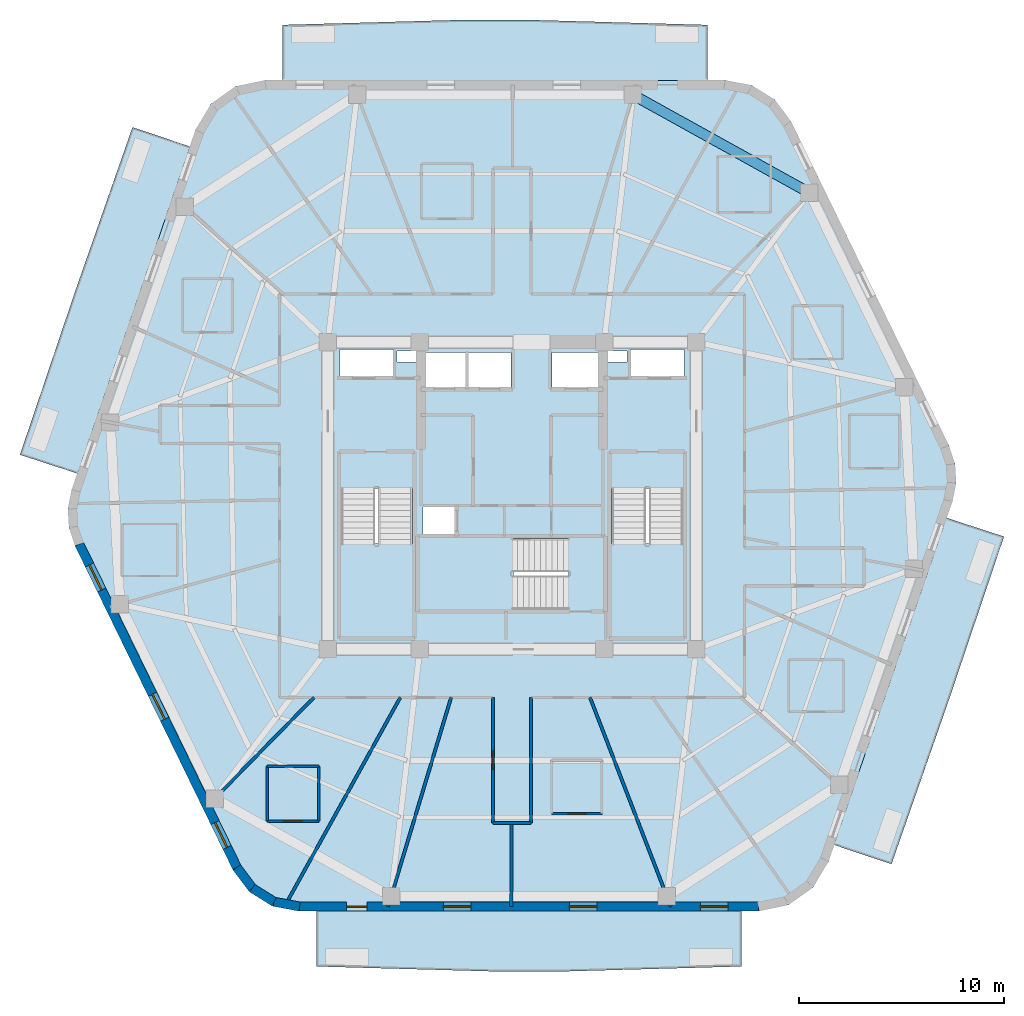
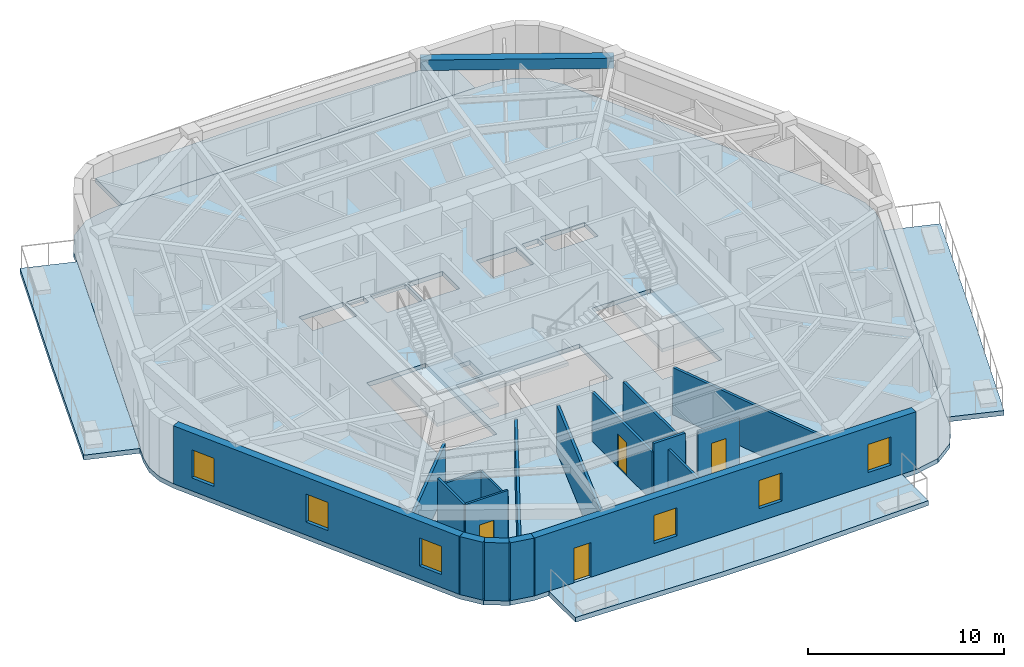
# One storey, part 2 of 9: 18 walls, 8 slabs, 6 windows, 4 doors, 1 beam, 10 openings, 3 elements without a shape of their own.
"""IFC4 building model written with IfcOpenShell, lengths in metres."""

from ifc_helpers import new_model, si_unit, direction, frame, frame_2d, origin, origin_2d, place, context, subcontext, project, spatial, polyline, rectangle, outline, extrude, material, layer, layer_set, material_profile, profile_set, type_object, element, fill, aggregate, save


model = new_model("IFC4")

# Units and contexts
model_context = context("Model", 3, precision=1e-05, world=origin(), true_north=direction((0.0, 1.0)))
body_context = subcontext(model_context, "Body", "Model", "MODEL_VIEW")
ifc_project = project(units=[si_unit("LENGTHUNIT", "METRE"), si_unit("AREAUNIT", "SQUARE_METRE"), si_unit("VOLUMEUNIT", "CUBIC_METRE"), si_unit("PLANEANGLEUNIT", "RADIAN"), si_unit("MASSUNIT", "GRAM", prefix="KILO")], contexts=[model_context])

# Site, building, storey
site_placement = place(None, origin())
site = spatial("IfcSite", under=ifc_project, at=site_placement, CompositionType="ELEMENT")
building_placement = place(site_placement, origin())
building = spatial("IfcBuilding", under=site, at=building_placement, Name="Kilnhurst Terrace Hotel", CompositionType="ELEMENT")
storey_placement = place(building_placement, frame((0.0, 0.0, 265.199951171875)))
storey = spatial("IfcBuildingStorey", under=building, at=storey_placement, Name="L66", CompositionType="ELEMENT", Elevation=265.199951171875)

# Beam
ifc_material_1 = material(Name="Concrete C50/60", Category="concrete")
ifc_material_profile = material_profile(ifc_material_1, rectangle(XDim=0.5, YDim=0.64990234375, at=origin_2d()), Name="RC500X650")
ifc_profile_set = profile_set([ifc_material_profile], Name="Concrete C50/60")
beam_type = type_object("IfcBeamType", Name="BM-SPN-500X650", PredefinedType="SPANDREL", material=ifc_profile_set)
beam_placement = place(storey_placement, frame((14.531005859375, 14.798095703125, 3.275146484375), z_axis=(-0.874527255888, 0.484976369227, 0.0), x_axis=(-0.484976369227, -0.874527255888, 0.0)))
element("IfcBeam", 1, at=beam_placement, inside=storey, type_object=beam_type, Name="L66 Perimeter Spandrel Beam 6", PredefinedType="SPANDREL", context=body_context, shape_type="SweptSolid", body=[
    extrude(rectangle(XDim=0.5, YDim=0.64990234375, at=origin_2d()), origin(), (0.0, 0.0, 1.0), 9.8603515625),
])

# Slabs
ifc_layer_1 = layer(ifc_material_1, 0.300048828125, Name="Concrete C50/60")
ifc_layer_set_1 = layer_set([ifc_layer_1], Name="Concrete C50/60")
slab_type_1 = type_object("IfcSlabType", Name="SLB-BAL-300", PredefinedType="FLOOR", material=ifc_layer_set_1)
slab_1_placement = place(storey_placement, frame((0.0, 0.0, -0.300048828125)))
element("IfcSlab", 2, at=slab_1_placement, inside=storey, type_object=slab_type_1, Name="L66 Cantilevered Planted Terrace Slab BAL-L1A", PredefinedType="FLOOR", context=body_context, shape_type="SweptSolid", body=[
    extrude(outline(polyline([(2.62060546875, -23.239990234375), (-0.958984375, -23.239990234375), (-9.5498046875, -23.0), (-9.5498046875, -20.280029296875), (11.211669921875, -20.280029296875), (11.211669921875, -23.0), (2.62060546875, -23.239990234375)])), origin(), (0.0, 0.0, 1.0), 0.300048828125),
])
slab_2_placement = place(storey_placement, frame((0.0, 0.0, -0.300048828125)))
element("IfcSlab", 3, at=slab_2_placement, inside=storey, type_object=slab_type_1, Name="L66 Cantilevered Planted Terrace Slab BAL-L1B", PredefinedType="FLOOR", context=body_context, shape_type="SweptSolid", body=[
    extrude(outline(polyline([(18.541259765625, -18.0), (15.725341796875, -17.0556640625), (21.223388671875, -1.0791015625), (24.037353515625, -2.0), (21.317626953125, -10.054931640625), (18.541259765625, -18.0)])), origin(), (0.0, 0.0, 1.0), 0.300048828125),
])
slab_3_placement = place(storey_placement, frame((0.0, 0.0, -0.300048828125)))
element("IfcSlab", 4, at=slab_3_placement, inside=storey, type_object=slab_type_1, Name="L66 Cantilevered Planted Terrace Slab BAL-L2A", PredefinedType="FLOOR", context=body_context, shape_type="SweptSolid", body=[
    extrude(outline(polyline([(0.958984375, 23.239990234375), (9.5498046875, 23.0), (9.5498046875, 20.280029296875), (-11.211669921875, 20.280029296875), (-11.211669921875, 23.0), (-2.62060546875, 23.239990234375), (0.958984375, 23.239990234375)])), origin(), (0.0, 0.0, 1.0), 0.300048828125),
])
slab_4_placement = place(storey_placement, frame((0.0, 0.0, -0.300048828125)))
element("IfcSlab", 5, at=slab_4_placement, inside=storey, type_object=slab_type_1, Name="L66 Cantilevered Planted Terrace Slab BAL-L2B", PredefinedType="FLOOR", context=body_context, shape_type="SweptSolid", body=[
    extrude(outline(polyline([(-18.541259765625, 18.0), (-15.725341796875, 17.0556640625), (-21.223388671875, 1.0791015625), (-24.037353515625, 2.0), (-21.317626953125, 10.054931640625), (-18.541259765625, 18.0)])), origin(), (0.0, 0.0, 1.0), 0.300048828125),
])
ifc_layer_2 = layer(ifc_material_1, 0.280029296875, Name="Concrete C50/60")
ifc_layer_set_2 = layer_set([ifc_layer_2], Name="Concrete C50/60")
slab_type_2 = type_object("IfcSlabType", Name="SLB-FLR-280", PredefinedType="FLOOR", material=ifc_layer_set_2)
slab_5_placement = place(storey_placement, frame((0.0, 0.0, -0.280029296875)))
element("IfcSlab", 6, at=slab_5_placement, inside=storey, type_object=slab_type_2, Name="L66 Structural Floor Slab", PredefinedType="FLOOR", context=body_context, shape_type="SweptSolid", body=[
    extrude(outline(polyline([(-13.635986328125, -18.27734375), (-12.840087890625, -19.3466796875), (-11.709716796875, -20.05322265625), (-10.39990234375, -20.300048828125), (12.061767578125, -20.300048828125), (13.5068359375, -19.9970703125), (14.708984375, -19.139404296875), (15.4658203125, -17.871337890625), (21.51513671875, -0.29248046875), (21.7021484375, 0.627685546875), (21.64501953125, 1.565185546875), (21.34716796875, 2.4560546875), (13.635986328125, 18.27734375), (12.840087890625, 19.3466796875), (11.709716796875, 20.05322265625), (10.39990234375, 20.300048828125), (-12.061767578125, 20.300048828125), (-13.5068359375, 19.9970703125), (-14.708984375, 19.139404296875), (-15.4658203125, 17.871337890625), (-21.51513671875, 0.29248046875), (-21.7021484375, -0.627685546875), (-21.64501953125, -1.565185546875), (-21.34716796875, -2.4560546875), (-13.635986328125, -18.27734375)]), holes=[polyline([(-8.35009765625, 0.35498046875), (-4.8798828125, 0.35498046875), (-4.8798828125, -6.89990234375), (-8.35009765625, -6.89990234375), (-8.35009765625, 0.35498046875)]), polyline([(-2.800048828125, -1.89990234375), (-4.35009765625, -1.89990234375), (-4.35009765625, -0.550048828125), (-2.800048828125, -0.550048828125), (-2.800048828125, -1.89990234375)]), polyline([(-2.25, 5.25), (-4.300048828125, 5.25), (-4.300048828125, 7.0), (-2.25, 7.0), (-2.25, 5.25)]), polyline([(-2.1201171875, 5.25), (-2.1201171875, 7.0), (-0.050048828125, 7.0), (-0.050048828125, 5.25), (-2.1201171875, 5.25)]), polyline([(-8.39990234375, 5.75), (-8.39990234375, 7.14990234375), (-5.800048828125, 7.14990234375), (-5.800048828125, 5.75), (-8.39990234375, 5.75)]), polyline([(-4.659912109375, 6.52001953125), (-5.6201171875, 6.52001953125), (-5.6201171875, 7.080078125), (-4.659912109375, 7.080078125), (-4.659912109375, 6.52001953125)]), polyline([(2.7548828125, -5.550048828125), (-4.5, -5.550048828125), (-4.5, -2.080078125), (2.7548828125, -2.080078125), (2.7548828125, -5.550048828125)]), polyline([(8.35009765625, 0.35498046875), (8.35009765625, -6.89990234375), (4.8798828125, -6.89990234375), (4.8798828125, 0.35498046875), (8.35009765625, 0.35498046875)]), polyline([(4.300048828125, 5.25), (1.949951171875, 5.25), (1.949951171875, 7.0), (4.300048828125, 7.0), (4.300048828125, 5.25)]), polyline([(5.800048828125, 5.75), (5.800048828125, 7.14990234375), (8.39990234375, 7.14990234375), (8.39990234375, 5.75), (5.800048828125, 5.75)]), polyline([(4.659912109375, 6.52001953125), (4.659912109375, 7.080078125), (5.6201171875, 7.080078125), (5.6201171875, 6.52001953125), (4.659912109375, 6.52001953125)])]), origin(), (0.0, 0.0, 1.0), 0.280029296875),
])

# Stair, slab
stair_type = type_object("IfcStairType", Name="STR-CORE-1660", PredefinedType="HALF_TURN_STAIR", material=ifc_material_1)
stair_1_placement = place(storey_placement, origin())
stair_1 = element("IfcStair", 7, at=stair_1_placement, inside=storey, type_object=stair_type, Name="L66 ST-1", PredefinedType="HALF_TURN_STAIR")
ifc_layer_3 = layer(ifc_material_1, 0.199951171875, Name="Concrete C50/60")
ifc_layer_set_3 = layer_set([ifc_layer_3], Name="Concrete C50/60")
slab_type_3 = type_object("IfcSlabType", Name="SLB-ST-LND-200", PredefinedType="LANDING", material=ifc_layer_set_3)
slab_6_placement = place(storey_placement, frame((0.0, 0.0, 1.75)))
slab_6 = element("IfcSlab", 8, at=slab_6_placement, type_object=slab_type_3, Name="ST-1 landing 1", PredefinedType="LANDING", context=body_context, shape_type="SweptSolid", body=[
    extrude(outline(polyline([(-8.429931640625, -2.330078125), (-4.800048828125, -2.330078125), (-4.800048828125, -6.97998046875), (-8.429931640625, -6.97998046875), (-8.429931640625, -2.330078125)])), origin(), (0.0, 0.0, 1.0), 0.199951171875),
])
aggregate(stair_1, [slab_6])

stair_2_placement = place(storey_placement, origin())
stair_2 = element("IfcStair", 9, at=stair_2_placement, inside=storey, type_object=stair_type, Name="L66 ST-2", PredefinedType="HALF_TURN_STAIR")
slab_7_placement = place(storey_placement, frame((0.0, 0.0, 1.75)))
slab_7 = element("IfcSlab", 10, at=slab_7_placement, type_object=slab_type_3, Name="ST-2 landing 1", PredefinedType="LANDING", context=body_context, shape_type="SweptSolid", body=[
    extrude(outline(polyline([(4.800048828125, -2.330078125), (8.429931640625, -2.330078125), (8.429931640625, -6.97998046875), (4.800048828125, -6.97998046875), (4.800048828125, -2.330078125)])), origin(), (0.0, 0.0, 1.0), 0.199951171875),
])
aggregate(stair_2, [slab_7])

stair_3_placement = place(storey_placement, origin())
stair_3 = element("IfcStair", 11, at=stair_3_placement, inside=storey, type_object=stair_type, Name="L66 ST-3", PredefinedType="HALF_TURN_STAIR")
slab_8_placement = place(storey_placement, frame((0.0, 0.0, 1.75)))
slab_8 = element("IfcSlab", 12, at=slab_8_placement, type_object=slab_type_3, Name="ST-3 landing 1", PredefinedType="LANDING", context=body_context, shape_type="SweptSolid", body=[
    extrude(outline(polyline([(0.070068359375, -2.0), (0.070068359375, -5.6298828125), (-4.580078125, -5.6298828125), (-4.580078125, -2.0), (0.070068359375, -2.0)])), origin(), (0.0, 0.0, 1.0), 0.199951171875),
])
aggregate(stair_3, [slab_8])

# Walls
ifc_material_2 = material(Name="Precast concrete C40/50", Category="concrete")
ifc_layer_4 = layer(ifc_material_2, 0.449951171875, Name="Precast concrete C40/50")
ifc_layer_set_4 = layer_set([ifc_layer_4], Name="Precast concrete C40/50")
wall_type_1 = type_object("IfcWallType", Name="WL-BRK-450", PredefinedType="SOLIDWALL", material=ifc_layer_set_4)
wall_1_placement = place(storey_placement, frame((-13.44287109375, -18.159912109375, 0.0), z_axis=(0.0, 0.0, 1.0), x_axis=(0.597042425808, -0.802209661987, 0.0)))
element("IfcWall", 13, at=wall_1_placement, inside=storey, type_object=wall_type_1, Name="L66 Rounded Corner Brick Wall C1.1", PredefinedType="SOLIDWALL", context=body_context, shape_type="SweptSolid", body=[
    extrude(rectangle(XDim=1.269775390625, YDim=0.449951171875, at=frame_2d((0.634765625, 0.0))), origin(), (0.0, 0.0, 1.0), 3.60009765625),
])
wall_2_placement = place(storey_placement, frame((-12.684814453125, -19.178466796875, 0.0), z_axis=(0.0, 0.0, 1.0), x_axis=(0.848031272749, -0.529946186362, 0.0)))
element("IfcWall", 14, at=wall_2_placement, inside=storey, type_object=wall_type_1, Name="L66 Rounded Corner Brick Wall C1.2", PredefinedType="SOLIDWALL", context=body_context, shape_type="SweptSolid", body=[
    extrude(rectangle(XDim=1.248046875, YDim=0.449951171875, at=frame_2d((0.6240234375, 0.0))), origin(), (0.0, 0.0, 1.0), 3.60009765625),
])
wall_3_placement = place(storey_placement, frame((-11.62646484375, -19.83984375, 0.0), z_axis=(0.0, 0.0, 1.0), x_axis=(0.982701956681, -0.185194126083, 0.0)))
element("IfcWall", 15, at=wall_3_placement, inside=storey, type_object=wall_type_1, Name="L66 Rounded Corner Brick Wall C1.3", PredefinedType="SOLIDWALL", context=body_context, shape_type="SweptSolid", body=[
    extrude(rectangle(XDim=1.26953125, YDim=0.449951171875, at=frame_2d((0.634765625, 0.0))), origin(), (0.0, 0.0, 1.0), 3.60009765625),
])

# Wall, openings, door, windows
wall_4_placement = place(storey_placement, frame((-10.37890625, -20.074951171875, 0.0), z_axis=(0.0, 0.0, 1.0), x_axis=(1.0, 0.0, 0.0)))
wall_4 = element("IfcWall", 16, at=wall_4_placement, inside=storey, type_object=wall_type_1, Name="L66 Exterior Brick Facade Wall F1", PredefinedType="SOLIDWALL", context=body_context, shape_type="SweptSolid", body=[
    extrude(rectangle(XDim=22.417236328125, YDim=0.449951171875, at=frame_2d((11.20849609375, 0.0))), origin(), (0.0, 0.0, 1.0), 3.60009765625),
])
opening_1_placement = place(wall_4_placement, frame((2.302001953125, 0.0, 0.0)))
opening_1 = element("IfcOpeningElement", 17, at=opening_1_placement, cuts=wall_4, Name="Opening BD-1000", PredefinedType="OPENING", context=body_context, shape_type="SweptSolid", body=[
    extrude(rectangle(XDim=1.0, YDim=2.14990234375, at=frame_2d((0.5, 1.074951171875))), frame((0.0, 0.23486328125, 0.0), z_axis=(0.0, -1.0, 0.0), x_axis=(1.0, 0.0, 0.0)), (0.0, 0.0, 1.0), 0.469970703125),
])
opening_2_placement = place(wall_4_placement, frame((7.02197265625, 0.0, 0.800048828125)))
opening_2 = element("IfcOpeningElement", 18, at=opening_2_placement, cuts=wall_4, Name="Opening W-06", PredefinedType="OPENING", context=body_context, shape_type="SweptSolid", body=[
    extrude(rectangle(XDim=1.35009765625, YDim=1.75, at=frame_2d((0.675048828125, 0.875))), frame((0.0, 0.23486328125, 0.0), z_axis=(0.0, -1.0, 0.0), x_axis=(1.0, 0.0, 0.0)), (0.0, 0.0, 1.0), 0.469970703125),
])
opening_3_placement = place(wall_4_placement, frame((13.179931640625, 0.0, 0.800048828125)))
opening_3 = element("IfcOpeningElement", 19, at=opening_3_placement, cuts=wall_4, Name="Opening W-06", PredefinedType="OPENING", context=body_context, shape_type="SweptSolid", body=[
    extrude(rectangle(XDim=1.35009765625, YDim=1.75, at=frame_2d((0.675048828125, 0.875))), frame((0.0, 0.23486328125, 0.0), z_axis=(0.0, -1.0, 0.0), x_axis=(1.0, 0.0, 0.0)), (0.0, 0.0, 1.0), 0.469970703125),
])
opening_4_placement = place(wall_4_placement, frame((19.5869140625, 0.0, 0.800048828125)))
opening_4 = element("IfcOpeningElement", 20, at=opening_4_placement, cuts=wall_4, Name="Opening W-06", PredefinedType="OPENING", context=body_context, shape_type="SweptSolid", body=[
    extrude(rectangle(XDim=1.35009765625, YDim=1.75, at=frame_2d((0.675048828125, 0.875))), frame((0.0, 0.23486328125, 0.0), z_axis=(0.0, -1.0, 0.0), x_axis=(1.0, 0.0, 0.0)), (0.0, 0.0, 1.0), 0.469970703125),
])
ifc_material_3 = material(Name="Thermally Broken Bronze Aluminium Alloy 6063-T6 and Laminated Glass", Category="aluminium")
door_type_1 = type_object("IfcDoorType", Name="DR-EXT-BAL-1000", OperationType="NOTDEFINED", PredefinedType="DOOR", material=ifc_material_3)
door_1_placement = place(opening_1_placement, origin())
door_1 = element("IfcDoor", 21, at=door_1_placement, inside=storey, type_object=door_type_1, Name="L66 Planted Balcony Door BAL-L1A", OperationType="SINGLE_SWING_LEFT", OverallHeight=2.14990234375, OverallWidth=1.0, PredefinedType="DOOR", context=body_context, shape_type="SweptSolid", body=[
    extrude(rectangle(XDim=1.0, YDim=2.14990234375, at=frame_2d((0.5, 1.074951171875))), frame((0.0, 0.02490234375, 0.0), z_axis=(0.0, -1.0, 0.0), x_axis=(1.0, 0.0, 0.0)), (0.0, 0.0, 1.0), 0.050048828125),
])
fill(opening_1, door_1)
ifc_material_4 = material(Name="Thermally Broken Bronze Aluminium Alloy 6063-T6 and Low-E Glass", Category="aluminium")
window_type = type_object("IfcWindowType", Name="WIN-1350X1750", PartitioningType="SINGLE_PANEL", PredefinedType="WINDOW", material=ifc_material_4)
window_1_placement = place(opening_2_placement, origin())
window_1 = element("IfcWindow", 22, at=window_1_placement, inside=storey, type_object=window_type, Name="L66 Deep-Set Masonry Window F1.1", OverallHeight=1.75, OverallWidth=1.35009765625, PartitioningType="SINGLE_PANEL", PredefinedType="WINDOW", context=body_context, shape_type="SweptSolid", body=[
    extrude(rectangle(XDim=1.35009765625, YDim=1.75, at=frame_2d((0.675048828125, 0.875))), frame((0.0, 0.030029296875, 0.0), z_axis=(0.0, -1.0, 0.0), x_axis=(1.0, 0.0, 0.0)), (0.0, 0.0, 1.0), 0.06005859375),
])
fill(opening_2, window_1)
window_2_placement = place(opening_3_placement, origin())
window_2 = element("IfcWindow", 23, at=window_2_placement, inside=storey, type_object=window_type, Name="L66 Deep-Set Masonry Window F1.2", OverallHeight=1.75, OverallWidth=1.35009765625, PartitioningType="SINGLE_PANEL", PredefinedType="WINDOW", context=body_context, shape_type="SweptSolid", body=[
    extrude(rectangle(XDim=1.35009765625, YDim=1.75, at=frame_2d((0.675048828125, 0.875))), frame((0.0, 0.030029296875, 0.0), z_axis=(0.0, -1.0, 0.0), x_axis=(1.0, 0.0, 0.0)), (0.0, 0.0, 1.0), 0.06005859375),
])
fill(opening_3, window_2)
window_3_placement = place(opening_4_placement, origin())
window_3 = element("IfcWindow", 24, at=window_3_placement, inside=storey, type_object=window_type, Name="L66 Deep-Set Masonry Window F1.3", OverallHeight=1.75, OverallWidth=1.35009765625, PartitioningType="SINGLE_PANEL", PredefinedType="WINDOW", context=body_context, shape_type="SweptSolid", body=[
    extrude(rectangle(XDim=1.35009765625, YDim=1.75, at=frame_2d((0.675048828125, 0.875))), frame((0.0, 0.030029296875, 0.0), z_axis=(0.0, -1.0, 0.0), x_axis=(1.0, 0.0, 0.0)), (0.0, 0.0, 1.0), 0.06005859375),
])
fill(opening_4, window_3)

# Wall, openings, windows
wall_5_placement = place(storey_placement, frame((-21.138427734375, -2.370849609375, 0.0), z_axis=(0.0, 0.0, 1.0), x_axis=(0.438128124058, -0.89891253574, 0.0)))
wall_5 = element("IfcWall", 25, at=wall_5_placement, inside=storey, type_object=wall_type_1, Name="L66 Exterior Brick Facade Wall F6", PredefinedType="SOLIDWALL", context=body_context, shape_type="SweptSolid", body=[
    extrude(rectangle(XDim=17.564697265625, YDim=0.449951171875, at=frame_2d((8.7822265625, 0.0))), origin(), (0.0, 0.0, 1.0), 3.60009765625),
])
opening_5_placement = place(wall_5_placement, frame((1.133056640625, 0.0, 0.800048828125)))
opening_5 = element("IfcOpeningElement", 26, at=opening_5_placement, cuts=wall_5, Name="Opening W-06", PredefinedType="OPENING", context=body_context, shape_type="SweptSolid", body=[
    extrude(rectangle(XDim=1.35009765625, YDim=1.75, at=frame_2d((0.675048828125, 0.875))), frame((0.0, 0.23486328125, 0.0), z_axis=(0.0, -1.0, 0.0), x_axis=(1.0, 0.0, 0.0)), (0.0, 0.0, 1.0), 0.469970703125),
])
opening_6_placement = place(wall_5_placement, frame((8.157958984375, 0.0, 0.800048828125)))
opening_6 = element("IfcOpeningElement", 27, at=opening_6_placement, cuts=wall_5, Name="Opening W-06", PredefinedType="OPENING", context=body_context, shape_type="SweptSolid", body=[
    extrude(rectangle(XDim=1.35009765625, YDim=1.75, at=frame_2d((0.675048828125, 0.875))), frame((0.0, 0.23486328125, 0.0), z_axis=(0.0, -1.0, 0.0), x_axis=(1.0, 0.0, 0.0)), (0.0, 0.0, 1.0), 0.469970703125),
])
opening_7_placement = place(wall_5_placement, frame((15.132080078125, 0.0, 0.800048828125)))
opening_7 = element("IfcOpeningElement", 28, at=opening_7_placement, cuts=wall_5, Name="Opening W-06", PredefinedType="OPENING", context=body_context, shape_type="SweptSolid", body=[
    extrude(rectangle(XDim=1.35009765625, YDim=1.75, at=frame_2d((0.675048828125, 0.875))), frame((0.0, 0.23486328125, 0.0), z_axis=(0.0, -1.0, 0.0), x_axis=(1.0, 0.0, 0.0)), (0.0, 0.0, 1.0), 0.469970703125),
])
window_4_placement = place(opening_5_placement, origin())
window_4 = element("IfcWindow", 29, at=window_4_placement, inside=storey, type_object=window_type, Name="L66 Deep-Set Masonry Window F6.1", OverallHeight=1.75, OverallWidth=1.35009765625, PartitioningType="SINGLE_PANEL", PredefinedType="WINDOW", context=body_context, shape_type="SweptSolid", body=[
    extrude(rectangle(XDim=1.35009765625, YDim=1.75, at=frame_2d((0.675048828125, 0.875))), frame((0.0, 0.030029296875, 0.0), z_axis=(0.0, -1.0, 0.0), x_axis=(1.0, 0.0, 0.0)), (0.0, 0.0, 1.0), 0.06005859375),
])
fill(opening_5, window_4)
window_5_placement = place(opening_6_placement, origin())
window_5 = element("IfcWindow", 30, at=window_5_placement, inside=storey, type_object=window_type, Name="L66 Deep-Set Masonry Window F6.2", OverallHeight=1.75, OverallWidth=1.35009765625, PartitioningType="SINGLE_PANEL", PredefinedType="WINDOW", context=body_context, shape_type="SweptSolid", body=[
    extrude(rectangle(XDim=1.35009765625, YDim=1.75, at=frame_2d((0.675048828125, 0.875))), frame((0.0, 0.030029296875, 0.0), z_axis=(0.0, -1.0, 0.0), x_axis=(1.0, 0.0, 0.0)), (0.0, 0.0, 1.0), 0.06005859375),
])
fill(opening_6, window_5)
window_6_placement = place(opening_7_placement, origin())
window_6 = element("IfcWindow", 31, at=window_6_placement, inside=storey, type_object=window_type, Name="L66 Deep-Set Masonry Window F6.3", OverallHeight=1.75, OverallWidth=1.35009765625, PartitioningType="SINGLE_PANEL", PredefinedType="WINDOW", context=body_context, shape_type="SweptSolid", body=[
    extrude(rectangle(XDim=1.35009765625, YDim=1.75, at=frame_2d((0.675048828125, 0.875))), frame((0.0, 0.030029296875, 0.0), z_axis=(0.0, -1.0, 0.0), x_axis=(1.0, 0.0, 0.0)), (0.0, 0.0, 1.0), 0.06005859375),
])
fill(opening_7, window_6)

# Walls
ifc_material_5 = material(Name="Acoustic Double-Gypsum Corridor Partition Assembly")
ifc_layer_5 = layer(ifc_material_5, 0.14990234375, Name="Acoustic Double-Gypsum Corridor Partition Assembly")
ifc_layer_set_5 = layer_set([ifc_layer_5], Name="Acoustic Double-Gypsum Corridor Partition Assembly")
wall_type_2 = type_object("IfcWallType", Name="WL-COR-150", PredefinedType="PARTITIONING", material=ifc_layer_set_5)
wall_6_placement = place(storey_placement, frame((0.919921875, -9.85009765625, 0.0), z_axis=(0.0, 0.0, 1.0), x_axis=(0.0, -1.0, 0.0)))
element("IfcWall", 32, at=wall_6_placement, inside=storey, type_object=wall_type_2, Name="L66 Interior Wall WL-L66-COR-17", PredefinedType="PARTITIONING", context=body_context, shape_type="SweptSolid", body=[
    extrude(rectangle(XDim=6.14990234375, YDim=0.14990234375, at=frame_2d((3.074951171875, 0.0))), origin(), (0.0, 0.0, 1.0), 3.04052734375),
])
wall_7_placement = place(storey_placement, frame((0.919921875, -16.0, 0.0), z_axis=(0.0, 0.0, 1.0), x_axis=(-1.0, 0.0, 0.0)))
element("IfcWall", 33, at=wall_7_placement, inside=storey, type_object=wall_type_2, Name="L66 Interior Wall WL-L66-COR-18", PredefinedType="PARTITIONING", context=body_context, shape_type="SweptSolid", body=[
    extrude(rectangle(XDim=1.83984375, YDim=0.14990234375, at=frame_2d((0.919921875, 0.0))), origin(), (0.0, 0.0, 1.0), 3.60009765625),
])

# Wall, opening, door
wall_8_placement = place(storey_placement, frame((-0.919921875, -16.0, 0.0), z_axis=(0.0, 0.0, 1.0), x_axis=(0.0, 1.0, 0.0)))
wall_8 = element("IfcWall", 34, at=wall_8_placement, inside=storey, type_object=wall_type_2, Name="L66 Interior Wall WL-L66-COR-19", PredefinedType="PARTITIONING", context=body_context, shape_type="SweptSolid", body=[
    extrude(rectangle(XDim=6.14990234375, YDim=0.14990234375, at=frame_2d((3.074951171875, 0.0))), origin(), (0.0, 0.0, 1.0), 3.04052734375),
])
opening_8_placement = place(wall_8_placement, frame((2.625, 0.0, 0.0)))
opening_8 = element("IfcOpeningElement", 35, at=opening_8_placement, cuts=wall_8, Name="Opening D-60C", PredefinedType="OPENING", context=body_context, shape_type="SweptSolid", body=[
    extrude(rectangle(XDim=0.89990234375, YDim=2.030029296875, at=frame_2d((0.449951171875, 1.01513671875))), frame((0.0, 0.0849609375, 0.0), z_axis=(0.0, -1.0, 0.0), x_axis=(1.0, 0.0, 0.0)), (0.0, 0.0, 1.0), 0.169921875),
])
ifc_material_6 = material(Name="Painted Solid-Core Service Fire Door")
door_type_2 = type_object("IfcDoorType", Name="DR-FD60-900", OperationType="NOTDEFINED", PredefinedType="DOOR", material=ifc_material_6)
door_2_placement = place(opening_8_placement, origin())
door_2 = element("IfcDoor", 36, at=door_2_placement, inside=storey, type_object=door_type_2, Name="L66 Executive Work Office Door 16", OperationType="SINGLE_SWING_RIGHT", OverallHeight=2.030029296875, OverallWidth=0.89990234375, PredefinedType="DOOR", context=body_context, shape_type="SweptSolid", body=[
    extrude(rectangle(XDim=0.89990234375, YDim=2.030029296875, at=frame_2d((0.449951171875, 1.01513671875))), frame((0.0, 0.02490234375, 0.0), z_axis=(0.0, -1.0, 0.0), x_axis=(1.0, 0.0, 0.0)), (0.0, 0.0, 1.0), 0.050048828125),
])
fill(opening_8, door_2)

# Walls
ifc_material_7 = material(Name="STC-58 Acoustic Twin-Frame Guestroom Demising Partition")
ifc_layer_6 = layer(ifc_material_7, 0.14990234375, Name="STC-58 Acoustic Twin-Frame Guestroom Demising Partition")
ifc_layer_set_6 = layer_set([ifc_layer_6], Name="STC-58 Acoustic Twin-Frame Guestroom Demising Partition")
wall_type_3 = type_object("IfcWallType", Name="WL-DEM-150", PredefinedType="PARTITIONING", material=ifc_layer_set_6)
wall_9_placement = place(storey_placement, frame((-9.67236328125, -9.85009765625, 0.0), z_axis=(0.0, 0.0, 1.0), x_axis=(-0.700629771301, -0.713524998558, 0.0)))
element("IfcWall", 37, at=wall_9_placement, inside=storey, type_object=wall_type_3, Name="L66 Interior Wall WL-L66-DEM-COL08-14-1", PredefinedType="PARTITIONING", context=body_context, shape_type="SweptSolid", body=[
    extrude(rectangle(XDim=7.45947265625, YDim=0.14990234375, at=frame_2d((3.729736328125, 0.0))), origin(), (0.0, 0.0, 1.0), 2.93994140625),
])
wall_10_placement = place(storey_placement, frame((-5.453857421875, -9.85009765625, 0.0), z_axis=(0.0, 0.0, 1.0), x_axis=(-0.48439420613, -0.874849846012, 0.0)))
element("IfcWall", 38, at=wall_10_placement, inside=storey, type_object=wall_type_3, Name="L66 Interior Wall WL-L66-DEM-MID08-15-1", PredefinedType="PARTITIONING", context=body_context, shape_type="SweptSolid", body=[
    extrude(rectangle(XDim=11.37548828125, YDim=0.14990234375, at=frame_2d((5.687744140625, 0.0))), origin(), (0.0, 0.0, 1.0), 2.93994140625),
])
wall_11_placement = place(storey_placement, frame((-2.97216796875, -9.85009765625, 0.0), z_axis=(0.0, 0.0, 1.0), x_axis=(-0.288872169679, -0.957367677324, 0.0)))
element("IfcWall", 39, at=wall_11_placement, inside=storey, type_object=wall_type_3, Name="L66 Interior Wall WL-L66-DEM-COL09-16-1", PredefinedType="PARTITIONING", context=body_context, shape_type="SweptSolid", body=[
    extrude(rectangle(XDim=10.68017578125, YDim=0.14990234375, at=frame_2d((5.340087890625, 0.0))), origin(), (0.0, 0.0, 1.0), 2.93994140625),
])
wall_12_placement = place(storey_placement, frame((-0.02880859375, -16.0, 0.0), z_axis=(0.0, 0.0, 1.0), x_axis=(-0.001797372928, -0.999998384724, 0.0)))
element("IfcWall", 40, at=wall_12_placement, inside=storey, type_object=wall_type_3, Name="L66 Interior Wall WL-L66-DEM-MID09-17-1", PredefinedType="PARTITIONING", context=body_context, shape_type="SweptSolid", body=[
    extrude(rectangle(XDim=4.074951171875, YDim=0.14990234375, at=frame_2d((2.03759765625, 0.0))), origin(), (0.0, 0.0, 1.0), 2.93994140625),
])
wall_13_placement = place(storey_placement, frame((3.8076171875, -9.85009765625, 0.0), z_axis=(0.0, 0.0, 1.0), x_axis=(0.360587327934, -0.932725457427, 0.0)))
element("IfcWall", 41, at=wall_13_placement, inside=storey, type_object=wall_type_3, Name="L66 Interior Wall WL-L66-DEM-COL10-18-1", PredefinedType="PARTITIONING", context=body_context, shape_type="SweptSolid", body=[
    extrude(rectangle(XDim=10.96240234375, YDim=0.14990234375, at=frame_2d((5.481201171875, 0.0))), origin(), (0.0, 0.0, 1.0), 2.93994140625),
])

# Wall, opening, door
ifc_material_8 = material(Name="120 mm Moisture-Resistant Tile-Backed Bathroom Partition")
ifc_layer_7 = layer(ifc_material_8, 0.1201171875, Name="120 mm Moisture-Resistant Tile-Backed Bathroom Partition")
ifc_layer_set_7 = layer_set([ifc_layer_7], Name="120 mm Moisture-Resistant Tile-Backed Bathroom Partition")
wall_type_4 = type_object("IfcWallType", Name="WL-PART-120", PredefinedType="PARTITIONING", material=ifc_layer_set_7)
wall_14_placement = place(storey_placement, frame((-11.958984375, -15.905029296875, 0.0), z_axis=(0.0, 0.0, 1.0), x_axis=(1.0, 0.0, 0.0)))
wall_14 = element("IfcWall", 42, at=wall_14_placement, inside=storey, type_object=wall_type_4, Name="L66 Interior Wall WL-L66-BTH-14-1", PredefinedType="PARTITIONING", context=body_context, shape_type="SweptSolid", body=[
    extrude(rectangle(XDim=2.52001953125, YDim=0.1201171875, at=frame_2d((1.260009765625, 0.0))), origin(), (0.0, 0.0, 1.0), 3.60009765625),
])
opening_9_placement = place(wall_14_placement, frame((0.8349609375, 0.0, 0.0)))
opening_9 = element("IfcOpeningElement", 43, at=opening_9_placement, cuts=wall_14, Name="Opening D-08A", PredefinedType="OPENING", context=body_context, shape_type="SweptSolid", body=[
    extrude(rectangle(XDim=0.85009765625, YDim=2.030029296875, at=frame_2d((0.425048828125, 1.01513671875))), frame((0.0, 0.070068359375, 0.0), z_axis=(0.0, -1.0, 0.0), x_axis=(1.0, 0.0, 0.0)), (0.0, 0.0, 1.0), 0.14013671875),
])
ifc_material_9 = material(Name="Moisture-Resistant Lacquered En-suite Bathroom Door")
door_type_3 = type_object("IfcDoorType", Name="DR-INT-850", OperationType="NOTDEFINED", PredefinedType="DOOR", material=ifc_material_9)
door_3_placement = place(opening_9_placement, origin())
door_3 = element("IfcDoor", 44, at=door_3_placement, inside=storey, type_object=door_type_3, Name="L66 En-suite Bathroom Door 14", OperationType="SINGLE_SWING_LEFT", OverallHeight=2.030029296875, OverallWidth=0.85009765625, PredefinedType="DOOR", context=body_context, shape_type="SweptSolid", body=[
    extrude(rectangle(XDim=0.85009765625, YDim=2.030029296875, at=frame_2d((0.425048828125, 1.01513671875))), frame((0.0, 0.02490234375, 0.0), z_axis=(0.0, -1.0, 0.0), x_axis=(1.0, 0.0, 0.0)), (0.0, 0.0, 1.0), 0.050048828125),
])
fill(opening_9, door_3)

# Walls
wall_15_placement = place(storey_placement, frame((-9.43896484375, -15.905029296875, 0.0), z_axis=(0.0, 0.0, 1.0), x_axis=(0.0, 1.0, 0.0)))
element("IfcWall", 45, at=wall_15_placement, inside=storey, type_object=wall_type_4, Name="L66 Interior Wall WL-L66-BTH-14-2", PredefinedType="PARTITIONING", context=body_context, shape_type="SweptSolid", body=[
    extrude(rectangle(XDim=2.679931640625, YDim=0.1201171875, at=frame_2d((1.33984375, 0.0))), origin(), (0.0, 0.0, 1.0), 3.17236328125),
])
wall_16_placement = place(storey_placement, frame((-9.43896484375, -13.22509765625, 0.0), z_axis=(0.0, 0.0, 1.0), x_axis=(-1.0, 0.0, 0.0)))
element("IfcWall", 46, at=wall_16_placement, inside=storey, type_object=wall_type_4, Name="L66 Interior Wall WL-L66-BTH-14-3", PredefinedType="PARTITIONING", context=body_context, shape_type="SweptSolid", body=[
    extrude(rectangle(XDim=2.52001953125, YDim=0.1201171875, at=frame_2d((1.260009765625, 0.0))), origin(), (0.0, 0.0, 1.0), 3.17236328125),
])
wall_17_placement = place(storey_placement, frame((-11.958984375, -13.22509765625, 0.0), z_axis=(0.0, 0.0, 1.0), x_axis=(0.0, -1.0, 0.0)))
element("IfcWall", 47, at=wall_17_placement, inside=storey, type_object=wall_type_4, Name="L66 Interior Wall WL-L66-BTH-14-4", PredefinedType="PARTITIONING", context=body_context, shape_type="SweptSolid", body=[
    extrude(rectangle(XDim=2.679931640625, YDim=0.1201171875, at=frame_2d((1.33984375, 0.0))), origin(), (0.0, 0.0, 1.0), 3.60009765625),
])

# Wall, opening, door
wall_18_placement = place(storey_placement, frame((1.950927734375, -15.530029296875, 0.0), z_axis=(0.0, 0.0, 1.0), x_axis=(1.0, 0.0, 0.0)))
wall_18 = element("IfcWall", 48, at=wall_18_placement, inside=storey, type_object=wall_type_4, Name="L66 Interior Wall WL-L66-BTH-17-1", PredefinedType="PARTITIONING", context=body_context, shape_type="SweptSolid", body=[
    extrude(rectangle(XDim=2.440185546875, YDim=0.1201171875, at=frame_2d((1.22021484375, 0.0))), origin(), (0.0, 0.0, 1.0), 3.04052734375),
])
opening_10_placement = place(wall_18_placement, frame((0.794921875, 0.0, 0.0)))
opening_10 = element("IfcOpeningElement", 49, at=opening_10_placement, cuts=wall_18, Name="Opening D-08A", PredefinedType="OPENING", context=body_context, shape_type="SweptSolid", body=[
    extrude(rectangle(XDim=0.85009765625, YDim=2.030029296875, at=frame_2d((0.425048828125, 1.01513671875))), frame((0.0, 0.070068359375, 0.0), z_axis=(0.0, -1.0, 0.0), x_axis=(1.0, 0.0, 0.0)), (0.0, 0.0, 1.0), 0.14013671875),
])
door_4_placement = place(opening_10_placement, origin())
door_4 = element("IfcDoor", 50, at=door_4_placement, inside=storey, type_object=door_type_3, Name="L66 En-suite Bathroom Door 17", OperationType="SINGLE_SWING_RIGHT", OverallHeight=2.030029296875, OverallWidth=0.85009765625, PredefinedType="DOOR", context=body_context, shape_type="SweptSolid", body=[
    extrude(rectangle(XDim=0.85009765625, YDim=2.030029296875, at=frame_2d((0.425048828125, 1.01513671875))), frame((0.0, 0.02490234375, 0.0), z_axis=(0.0, -1.0, 0.0), x_axis=(1.0, 0.0, 0.0)), (0.0, 0.0, 1.0), 0.050048828125),
])
fill(opening_10, door_4)

save(model, "model.ifc")
